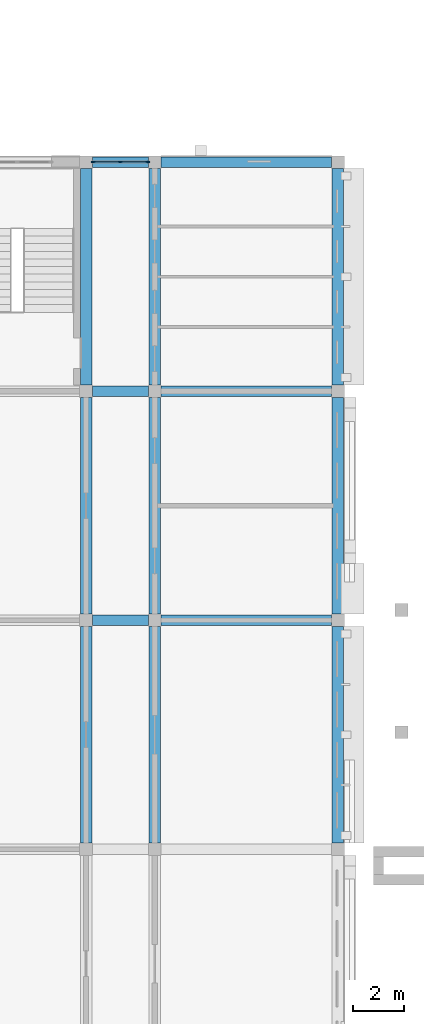
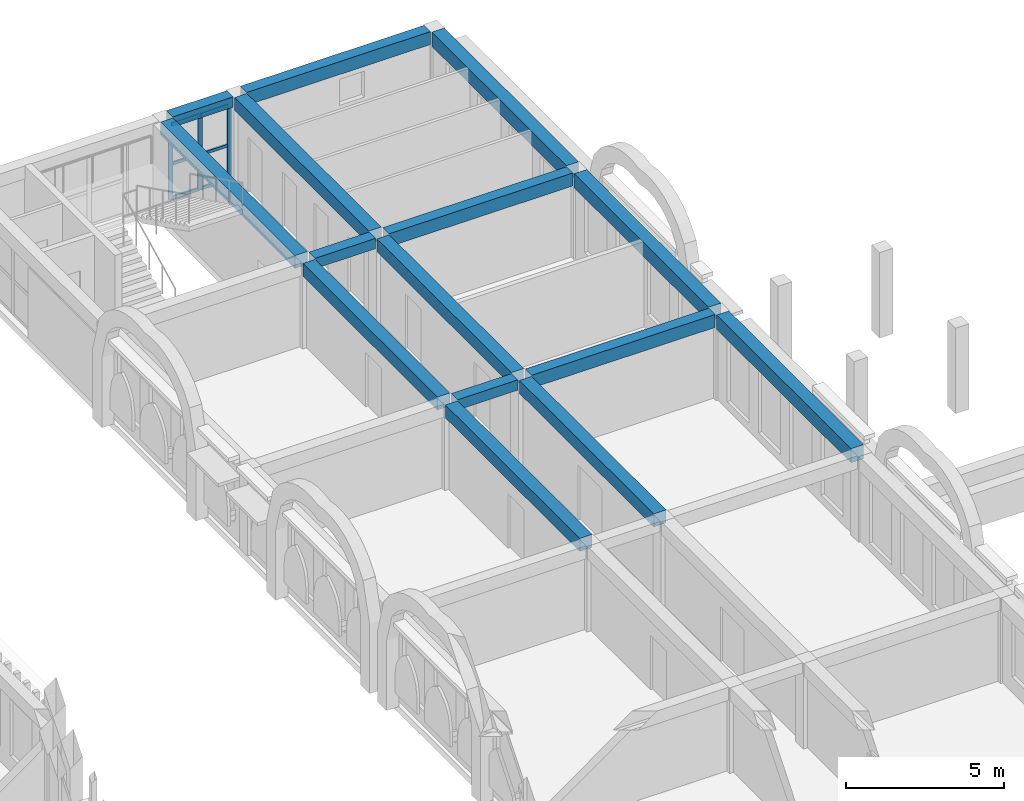
# One storey, part 33 of 82: 15 beams, 9 members, 1 element without a shape of its own.
"""IFC4 building model written with IfcOpenShell, lengths in metres."""

import ifcopenshell
import ifcopenshell.guid

model = None  # the IFC model being written
_history = None  # IfcOwnerHistory: only IFC2X3 demands one
_inside = {}  # id of a spatial element -> (the spatial element, [elements in it])
_under = {}  # id of a project, library or spatial element -> (it, [spatial elements below it])
_declared = {}  # id of a project -> (the project, [libraries it declares])
_typed = {}  # id of a type object -> (the type object, [elements of that type])
_made_of = {}  # id of a material, layer set ... -> (it, [elements and type objects made of it])


def new_model(schema):
    """Start an empty IFC model of exactly this schema.

    Asked for "IFC4X3", IfcOpenShell would pick the latest addendum, in which some entities
    have other attributes; the version numbers below select the first issue.
    IFC2X3 requires an IfcOwnerHistory on every rooted entity: one is made here for all.
    """
    global model, _history
    if schema == "IFC4X3":
        model = ifcopenshell.file(schema_version=(4, 3, 0, 0))
    else:
        model = ifcopenshell.file(schema=schema)
    _inside.clear()
    _under.clear()
    _declared.clear()
    _typed.clear()
    _made_of.clear()
    _history = None
    if model.schema == "IFC2X3":
        org = make("IfcOrganization", Name="unknown")
        user = make(
            "IfcPersonAndOrganization",
            ThePerson=make("IfcPerson", FamilyName="unknown"),
            TheOrganization=org,
        )
        app = make(
            "IfcApplication",
            ApplicationDeveloper=org,
            Version="unknown",
            ApplicationFullName="unknown",
            ApplicationIdentifier="unknown",
        )
        _history = make(
            "IfcOwnerHistory",
            OwningUser=user,
            OwningApplication=app,
            ChangeAction="ADDED",
            CreationDate=0,
        )
    return model


def make(cls, **values):
    """One entity of the class cls with the attributes given. An attribute that is None is left unset."""
    return model.create_entity(
        cls, **{name: value for name, value in values.items() if value is not None}
    )


def rooted(cls, **values):
    """An entity with a GlobalId (a new one), such as an element, a storey or a relation."""
    return make(cls, GlobalId=ifcopenshell.guid.new(), OwnerHistory=_history, **values)


def si_unit(unit_type, name, prefix=None):
    """IfcSIUnit, for example si_unit("LENGTHUNIT", "METRE", prefix="MILLI")."""
    return make("IfcSIUnit", UnitType=unit_type, Prefix=prefix, Name=name)


def assignment(units):
    """IfcUnitAssignment: the units of a project."""
    return None if units is None else make("IfcUnitAssignment", Units=units)


def point(xyz):
    """IfcCartesianPoint."""
    return None if xyz is None else make("IfcCartesianPoint", Coordinates=xyz)


def direction(xyz):
    """IfcDirection."""
    return None if xyz is None else make("IfcDirection", DirectionRatios=xyz)


def frame(location, z_axis=None, x_axis=None):
    """IfcAxis2Placement3D, a coordinate frame: its origin and axes. An axis left out is left unset."""
    return make(
        "IfcAxis2Placement3D",
        Location=point(location),
        Axis=direction(z_axis),
        RefDirection=direction(x_axis),
    )


def frame_2d(location, x_axis=None):
    """IfcAxis2Placement2D, a coordinate frame in the plane: its origin and x axis."""
    return make(
        "IfcAxis2Placement2D", Location=point(location), RefDirection=direction(x_axis)
    )


def origin():
    """The frame at (0, 0, 0) with its axes left unset."""
    return frame((0.0, 0.0, 0.0))


def origin_2d():
    """The frame at (0, 0) in the plane with its x axis left unset."""
    return frame_2d((0.0, 0.0))


def place(relative_to, where):
    """IfcLocalPlacement: puts the frame where relative to a parent placement (None: the world)."""
    return make(
        "IfcLocalPlacement", PlacementRelTo=relative_to, RelativePlacement=where
    )


def context(
    kind, dimensions, precision=None, world=None, true_north=None, identifier=None
):
    """IfcGeometricRepresentationContext, for example the 3D "Model" context."""
    return make(
        "IfcGeometricRepresentationContext",
        ContextIdentifier=identifier,
        ContextType=kind,
        CoordinateSpaceDimension=dimensions,
        Precision=precision,
        WorldCoordinateSystem=world,
        TrueNorth=true_north,
    )


def subcontext(parent, identifier, kind, view, scale=None):
    """IfcGeometricRepresentationSubContext, for example "Body" below "Model"."""
    return make(
        "IfcGeometricRepresentationSubContext",
        ContextIdentifier=identifier,
        ContextType=kind,
        ParentContext=parent,
        TargetScale=scale,
        TargetView=view,
    )


def project(units=None, contexts=None):
    """IfcProject with its units and contexts."""
    return rooted(
        "IfcProject",
        Name="project",
        RepresentationContexts=contexts,
        UnitsInContext=assignment(units),
    )


def spatial(cls, under=None, at=None, **own):
    """A site, building, storey or space (cls), placed at a placement, below another one or the project."""
    s = rooted(cls, ObjectPlacement=at, **own)
    if under is not None:
        _under.setdefault(under.id(), (under, []))[1].append(s)
    return s


def profile(cls, at=None, kind="AREA", **sizes):
    """A parametric profile (cls). Its sizes go by their IFC names, for example OverallWidth=200.0."""
    return make(cls, ProfileType=kind, Position=at, **sizes)


def rectangle(**sizes):
    """IfcRectangleProfileDef."""
    return profile("IfcRectangleProfileDef", **sizes)


def extrude(swept, where, along, depth):
    """IfcExtrudedAreaSolid: the profile swept, set in the frame where, extruded along a direction by depth."""
    return make(
        "IfcExtrudedAreaSolid",
        SweptArea=swept,
        Position=where,
        ExtrudedDirection=direction(along),
        Depth=depth,
    )


def shape(context_of_items, identifier, shape_type, items):
    """IfcShapeRepresentation: the items that make up one representation, for example the "Body"."""
    return make(
        "IfcShapeRepresentation",
        ContextOfItems=context_of_items,
        RepresentationIdentifier=identifier,
        RepresentationType=shape_type,
        Items=items,
    )


def material(Name=None, Category=None):
    """IfcMaterial."""
    return make("IfcMaterial", Name=Name, Category=Category)


def layer(
    of_material, thickness, ventilated=None, Name=None, Category=None, Priority=None
):
    """IfcMaterialLayer: one layer of a wall or slab, of a material (None: an air gap)."""
    return make(
        "IfcMaterialLayer",
        Material=of_material,
        LayerThickness=thickness,
        IsVentilated=ventilated,
        Name=Name,
        Category=Category,
        Priority=Priority,
    )


def layer_set(layers, Name=None):
    """IfcMaterialLayerSet."""
    return make("IfcMaterialLayerSet", MaterialLayers=layers, LayerSetName=Name)


def material_profile(
    of_material, cross_section, Name=None, Category=None, Priority=None
):
    """IfcMaterialProfile: a cross section and its material."""
    return make(
        "IfcMaterialProfile",
        Name=Name,
        Material=of_material,
        Profile=cross_section,
        Priority=Priority,
        Category=Category,
    )


def profile_set(profiles, Name=None, composite=None):
    """IfcMaterialProfileSet."""
    return make(
        "IfcMaterialProfileSet",
        Name=Name,
        MaterialProfiles=profiles,
        CompositeProfile=composite,
    )


def made_of(thing, what):
    """Note that an element or type object is made of a material, layer set ...; save() writes the relation."""
    if what is not None:
        _made_of.setdefault(what.id(), (what, []))[1].append(thing)
    return thing


def type_object(cls, material=None, **own):
    """A type object (cls), such as IfcWallType, which elements share."""
    return made_of(rooted(cls, **own), material)


def element(
    cls,
    number,
    at=None,
    inside=None,
    cuts=None,
    type_object=None,
    material=None,
    context=None,
    identifier="Body",
    shape_type=None,
    held_by="IfcProductDefinitionShape",
    body=None,
    shapes=None,
    **own,
):
    """One element of the class cls, such as IfcWall. Its Tag is "e" and its number.

    at: its placement. inside: the storey or other place that contains it. cuts: it is an
    opening in that element (IfcRelVoidsElement). A single representation is given by context,
    identifier, shape_type and body (its items); several are given by shapes. held_by: the class
    of the entity that holds the representations. save() writes the other relations.
    """
    e = rooted(cls, Tag="e%d" % number, ObjectPlacement=at, **own)
    if body is not None:
        shapes = [shape(context, identifier, shape_type, body)]
    if shapes is not None:
        e.Representation = make(held_by, Representations=shapes)
    if inside is not None:
        _inside.setdefault(inside.id(), (inside, []))[1].append(e)
    if cuts is not None:
        rooted(
            "IfcRelVoidsElement", RelatingBuildingElement=cuts, RelatedOpeningElement=e
        )
    if type_object is not None:
        _typed.setdefault(type_object.id(), (type_object, []))[1].append(e)
    return made_of(e, material)


def aggregate(whole, parts):
    """IfcRelAggregates: a whole, such as a stair, and the parts it consists of."""
    return rooted("IfcRelAggregates", RelatingObject=whole, RelatedObjects=parts)


def save(model, path):
    """Write the relations noted so far, then the file.

    IfcRelAggregates (storeys below a building ...), IfcRelContainedInSpatialStructure (elements
    in a storey), IfcRelDefinesByType, IfcRelAssociatesMaterial and IfcRelDeclares: one each for
    every whole, place, type object, material and project.
    """
    for whole, parts in _under.values():
        aggregate(whole, parts)
    for where, things in _inside.values():
        rooted(
            "IfcRelContainedInSpatialStructure",
            RelatedElements=things,
            RelatingStructure=where,
        )
    for kind, things in _typed.values():
        rooted("IfcRelDefinesByType", RelatedObjects=things, RelatingType=kind)
    for what, things in _made_of.values():
        rooted("IfcRelAssociatesMaterial", RelatedObjects=things, RelatingMaterial=what)
    for by, libraries in _declared.values():
        rooted("IfcRelDeclares", RelatingContext=by, RelatedDefinitions=libraries)
    model.write(path)


model = new_model("IFC4")

# Units and contexts
model_context = context("Model", 3, precision=1e-05, world=origin(), true_north=direction((0.0, 1.0)))
body_context = subcontext(model_context, "Body", "Model", "MODEL_VIEW")
ifc_project = project(units=[si_unit("LENGTHUNIT", "METRE"), si_unit("AREAUNIT", "SQUARE_METRE"), si_unit("VOLUMEUNIT", "CUBIC_METRE"), si_unit("PLANEANGLEUNIT", "RADIAN"), si_unit("MASSUNIT", "GRAM", prefix="KILO")], contexts=[model_context])

# Site, building, storey
site_placement = place(None, origin())
site = spatial("IfcSite", under=ifc_project, at=site_placement, CompositionType="ELEMENT")
building_placement = place(site_placement, origin())
building = spatial("IfcBuilding", under=site, at=building_placement, Name="Elbe Cascade School", CompositionType="ELEMENT")
storey_placement = place(building_placement, frame((0.0, 0.0, 4.5)))
storey = spatial("IfcBuildingStorey", under=building, at=storey_placement, Name="L01", CompositionType="ELEMENT", Elevation=4.5)

# Curtain wall, members
ifc_material_1 = material(Name="Aluminium frame with double glazing, bronze anodised", Category="aluminium")
ifc_layer = layer(ifc_material_1, 0.159912109375)
ifc_layer_set = layer_set([ifc_layer], Name="Aluminium frame with double glazing, bronze anodised")
curtain_wall_type = type_object("IfcCurtainWallType", Name="Bars envelope Curtain wall, aluminium, bronze anodised, storey-high slot", PredefinedType="NOTDEFINED", material=ifc_layer_set)
curtain_wall_placement = place(storey_placement, origin())
curtain_wall = element("IfcCurtainWall", 1, at=curtain_wall_placement, inside=storey, type_object=curtain_wall_type, Name="Curtain wall CW4 D.L01.n2", PredefinedType="NOTDEFINED")
ifc_material_2 = material(Name="Aluminium mullion, bronze anodised", Category="aluminium")
ifc_material_profile_1 = material_profile(ifc_material_2, rectangle(XDim=0.06005859375, YDim=0.159912109375, at=origin_2d()), Name="Bars envelope Curtain wall mullion 60 x 160, aluminium, storey-high slot")
ifc_profile_set_1 = profile_set([ifc_material_profile_1], Name="Aluminium mullion, bronze anodised")
member_type_1 = type_object("IfcMemberType", Name="Bars envelope Curtain wall mullion 60 x 160, aluminium, storey-high slot", PredefinedType="MULLION", material=ifc_profile_set_1)
member_1_placement = place(storey_placement, frame((165.280029296875, 60.0, 0.0), z_axis=(0.0, 0.0, 1.0), x_axis=(0.0, 1.0, 0.0)))
member_1 = element("IfcMember", 2, at=member_1_placement, type_object=member_type_1, Name="CW4 mullion 1", PredefinedType="MULLION", context=body_context, shape_type="SweptSolid", body=[
    extrude(rectangle(XDim=0.06005859375, YDim=0.159912109375, at=origin_2d()), origin(), (0.0, 0.0, 1.0), 2.89990234375),
])
member_2_placement = place(storey_placement, frame((166.35009765625, 60.0, 0.0), z_axis=(0.0, 0.0, 1.0), x_axis=(0.0, 1.0, 0.0)))
member_2 = element("IfcMember", 3, at=member_2_placement, type_object=member_type_1, Name="CW4 mullion 2", PredefinedType="MULLION", context=body_context, shape_type="SweptSolid", body=[
    extrude(rectangle(XDim=0.06005859375, YDim=0.159912109375, at=origin_2d()), origin(), (0.0, 0.0, 1.0), 2.89990234375),
])
member_3_placement = place(storey_placement, frame((167.419921875, 60.0, 0.0), z_axis=(0.0, 0.0, 1.0), x_axis=(0.0, 1.0, 0.0)))
member_3 = element("IfcMember", 4, at=member_3_placement, type_object=member_type_1, Name="CW4 mullion 3", PredefinedType="MULLION", context=body_context, shape_type="SweptSolid", body=[
    extrude(rectangle(XDim=0.06005859375, YDim=0.159912109375, at=origin_2d()), origin(), (0.0, 0.0, 1.0), 2.89990234375),
])
ifc_material_3 = material(Name="Aluminium transom, bronze anodised", Category="aluminium")
ifc_material_profile_2 = material_profile(ifc_material_3, rectangle(XDim=0.06005859375, YDim=0.1201171875, at=origin_2d()), Name="Bars envelope Curtain wall transom 60 x 120, aluminium, storey-high slot")
ifc_profile_set_2 = profile_set([ifc_material_profile_2], Name="Aluminium transom, bronze anodised")
member_type_2 = type_object("IfcMemberType", Name="Bars envelope Curtain wall transom 60 x 120, aluminium, storey-high slot", PredefinedType="USERDEFINED", material=ifc_profile_set_2)
member_4_placement = place(storey_placement, frame((165.31005859375, 60.0, 0.030029296875), z_axis=(1.0, 0.0, 0.0), x_axis=(0.0, 1.0, 0.0)))
member_4 = element("IfcMember", 5, at=member_4_placement, type_object=member_type_2, Name="CW4 transom 1.1", ObjectType="TRANSOM", PredefinedType="USERDEFINED", context=body_context, shape_type="SweptSolid", body=[
    extrude(rectangle(XDim=0.06005859375, YDim=0.1201171875, at=origin_2d()), origin(), (0.0, 0.0, 1.0), 1.010009765625),
])
member_5_placement = place(storey_placement, frame((165.31005859375, 60.0, 1.35009765625), z_axis=(1.0, 0.0, 0.0), x_axis=(0.0, 1.0, 0.0)))
member_5 = element("IfcMember", 6, at=member_5_placement, type_object=member_type_2, Name="CW4 transom 1.2", ObjectType="TRANSOM", PredefinedType="USERDEFINED", context=body_context, shape_type="SweptSolid", body=[
    extrude(rectangle(XDim=0.06005859375, YDim=0.1201171875, at=origin_2d()), origin(), (0.0, 0.0, 1.0), 1.010009765625),
])
member_6_placement = place(storey_placement, frame((165.31005859375, 60.0, 2.8701171875), z_axis=(1.0, 0.0, 0.0), x_axis=(0.0, 1.0, 0.0)))
member_6 = element("IfcMember", 7, at=member_6_placement, type_object=member_type_2, Name="CW4 transom 1.3", ObjectType="TRANSOM", PredefinedType="USERDEFINED", context=body_context, shape_type="SweptSolid", body=[
    extrude(rectangle(XDim=0.06005859375, YDim=0.1201171875, at=origin_2d()), origin(), (0.0, 0.0, 1.0), 1.010009765625),
])
member_7_placement = place(storey_placement, frame((166.3798828125, 60.0, 0.030029296875), z_axis=(1.0, 0.0, 0.0), x_axis=(0.0, 1.0, 0.0)))
member_7 = element("IfcMember", 8, at=member_7_placement, type_object=member_type_2, Name="CW4 transom 2.1", ObjectType="TRANSOM", PredefinedType="USERDEFINED", context=body_context, shape_type="SweptSolid", body=[
    extrude(rectangle(XDim=0.06005859375, YDim=0.1201171875, at=origin_2d()), origin(), (0.0, 0.0, 1.0), 1.010009765625),
])
member_8_placement = place(storey_placement, frame((166.3798828125, 60.0, 1.35009765625), z_axis=(1.0, 0.0, 0.0), x_axis=(0.0, 1.0, 0.0)))
member_8 = element("IfcMember", 9, at=member_8_placement, type_object=member_type_2, Name="CW4 transom 2.2", ObjectType="TRANSOM", PredefinedType="USERDEFINED", context=body_context, shape_type="SweptSolid", body=[
    extrude(rectangle(XDim=0.06005859375, YDim=0.1201171875, at=origin_2d()), origin(), (0.0, 0.0, 1.0), 1.010009765625),
])
member_9_placement = place(storey_placement, frame((166.3798828125, 60.0, 2.8701171875), z_axis=(1.0, 0.0, 0.0), x_axis=(0.0, 1.0, 0.0)))
member_9 = element("IfcMember", 10, at=member_9_placement, type_object=member_type_2, Name="CW4 transom 2.3", ObjectType="TRANSOM", PredefinedType="USERDEFINED", context=body_context, shape_type="SweptSolid", body=[
    extrude(rectangle(XDim=0.06005859375, YDim=0.1201171875, at=origin_2d()), origin(), (0.0, 0.0, 1.0), 1.010009765625),
])
aggregate(curtain_wall, [member_1, member_2, member_3, member_4, member_5, member_6, member_7, member_8, member_9])

# Beams
ifc_material_4 = material(Name="Concrete C30/37", Category="concrete")
ifc_material_profile_3 = material_profile(ifc_material_4, rectangle(XDim=0.39990234375, YDim=0.39990234375, at=origin_2d()), Name="RC 400x400")
ifc_profile_set_3 = profile_set([ifc_material_profile_3], Name="Concrete C30/37")
beam_type_1 = type_object("IfcBeamType", Name="RC 400x400 beam", PredefinedType="BEAM", material=ifc_profile_set_3)
for number, where, z_axis, x_axis, name in (
    (11, (165.25, 42.0, 3.10009765625), (1.0, 0.0, 0.0), (0.0, 1.0, 0.0), "RC 400x400 beam B5"),
    (12, (165.25, 51.0, 3.10009765625), (1.0, 0.0, 0.0), (0.0, 1.0, 0.0), "RC 400x400 beam B5"),
    (13, (165.25, 60.0, 3.10009765625), (1.0, 0.0, 0.0), (0.0, 1.0, 0.0), "RC 400x400 beam B5"),
):
    element("IfcBeam", number, at=place(storey_placement, frame(where, z_axis=z_axis, x_axis=x_axis)), inside=storey, type_object=beam_type_1, Name=name, PredefinedType="BEAM", context=body_context, shape_type="SweptSolid", body=[
        extrude(rectangle(XDim=0.39990234375, YDim=0.39990234375, at=origin_2d()), origin(), (0.0, 0.0, 1.0), 2.199951171875),
    ])
ifc_material_5 = material(Name="Concrete C30/37", Category="concrete")
ifc_material_profile_4 = material_profile(ifc_material_5, rectangle(XDim=0.39990234375, YDim=0.5, at=origin_2d()), Name="RC 400x500")
ifc_profile_set_4 = profile_set([ifc_material_profile_4], Name="Concrete C30/37")
beam_type_2 = type_object("IfcBeamType", Name="RC 400x500 beam", PredefinedType="BEAM", material=ifc_profile_set_4)
for number, where, z_axis, x_axis, name in (
    (14, (167.949951171875, 42.0, 3.050048828125), (1.0, 0.0, 0.0), (0.0, 1.0, 0.0), "RC 400x500 beam B1"),
    (15, (167.949951171875, 51.0, 3.050048828125), (1.0, 0.0, 0.0), (0.0, 1.0, 0.0), "RC 400x500 beam B1"),
    (16, (167.949951171875, 60.0, 3.050048828125), (1.0, 0.0, 0.0), (0.0, 1.0, 0.0), "RC 400x500 beam B1"),
):
    element("IfcBeam", number, at=place(storey_placement, frame(where, z_axis=z_axis, x_axis=x_axis)), inside=storey, type_object=beam_type_2, Name=name, PredefinedType="BEAM", context=body_context, shape_type="SweptSolid", body=[
        extrude(rectangle(XDim=0.39990234375, YDim=0.5, at=origin_2d()), origin(), (0.0, 0.0, 1.0), 6.699951171875),
    ])
ifc_material_6 = material(Name="Concrete C30/37", Category="concrete")
ifc_material_profile_5 = material_profile(ifc_material_6, rectangle(XDim=0.449951171875, YDim=0.5, at=origin_2d()), Name="RC 450x500")
ifc_profile_set_5 = profile_set([ifc_material_profile_5], Name="Concrete C30/37")
beam_type_3 = type_object("IfcBeamType", Name="RC 450x500 beam", PredefinedType="BEAM", material=ifc_profile_set_5)
for number, where, z_axis, x_axis, name in (
    (17, (165.0, 33.25, 3.050048828125), (0.0, 1.0, 0.0), (-1.0, 0.0, 0.0), "RC 450x500 beam B9"),
    (18, (165.0, 42.25, 3.050048828125), (0.0, 1.0, 0.0), (-1.0, 0.0, 0.0), "RC 450x500 beam B9"),
    (19, (165.0, 51.25, 3.050048828125), (0.0, 1.0, 0.0), (-1.0, 0.0, 0.0), "RC 450x500 beam B9"),
    (20, (167.699951171875, 33.25, 3.050048828125), (0.0, 1.0, 0.0), (-1.0, 0.0, 0.0), "RC 450x500 beam B9"),
    (21, (167.699951171875, 42.25, 3.050048828125), (0.0, 1.0, 0.0), (-1.0, 0.0, 0.0), "RC 450x500 beam B9"),
    (22, (167.699951171875, 51.25, 3.050048828125), (0.0, 1.0, 0.0), (-1.0, 0.0, 0.0), "RC 450x500 beam B9"),
):
    element("IfcBeam", number, at=place(storey_placement, frame(where, z_axis=z_axis, x_axis=x_axis)), inside=storey, type_object=beam_type_3, Name=name, PredefinedType="BEAM", context=body_context, shape_type="SweptSolid", body=[
        extrude(rectangle(XDim=0.449951171875, YDim=0.5, at=origin_2d()), origin(), (0.0, 0.0, 1.0), 8.5),
    ])
ifc_material_7 = material(Name="Concrete C30/37", Category="concrete")
ifc_material_profile_6 = material_profile(ifc_material_7, rectangle(XDim=0.449951171875, YDim=0.550048828125, at=origin_2d()), Name="RC 450x550")
ifc_profile_set_6 = profile_set([ifc_material_profile_6], Name="Concrete C30/37")
beam_type_4 = type_object("IfcBeamType", Name="RC 450x550 beam", PredefinedType="BEAM", material=ifc_profile_set_6)
for number, where, z_axis, x_axis, name in (
    (23, (174.89990234375, 33.25, 3.02490234375), (0.0, 1.0, 0.0), (-1.0, 0.0, 0.0), "RC 450x550 beam B12"),
    (24, (174.89990234375, 42.25, 3.02490234375), (0.0, 1.0, 0.0), (-1.0, 0.0, 0.0), "RC 450x550 beam B12"),
    (25, (174.89990234375, 51.25, 3.02490234375), (0.0, 1.0, 0.0), (-1.0, 0.0, 0.0), "RC 450x550 beam B12"),
):
    element("IfcBeam", number, at=place(storey_placement, frame(where, z_axis=z_axis, x_axis=x_axis)), inside=storey, type_object=beam_type_4, Name=name, PredefinedType="BEAM", context=body_context, shape_type="SweptSolid", body=[
        extrude(rectangle(XDim=0.449951171875, YDim=0.550048828125, at=origin_2d()), origin(), (0.0, 0.0, 1.0), 8.5),
    ])

save(model, "model.ifc")
